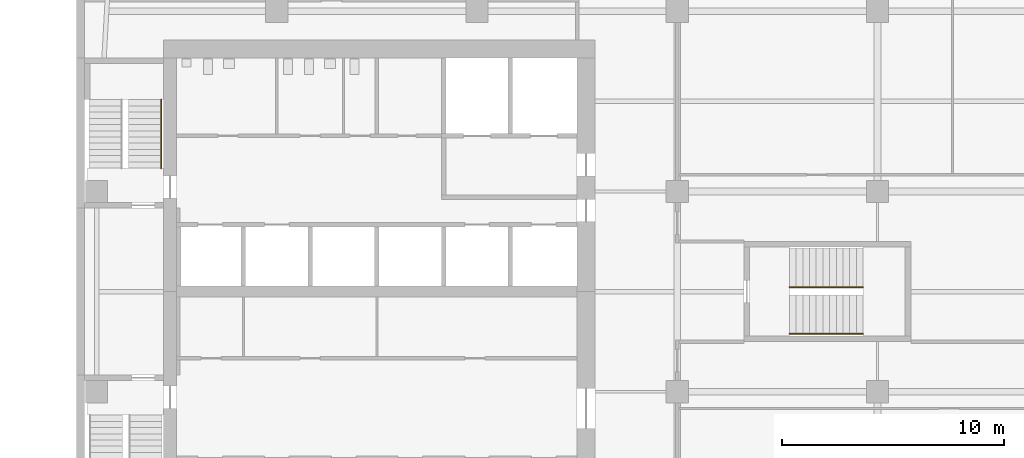
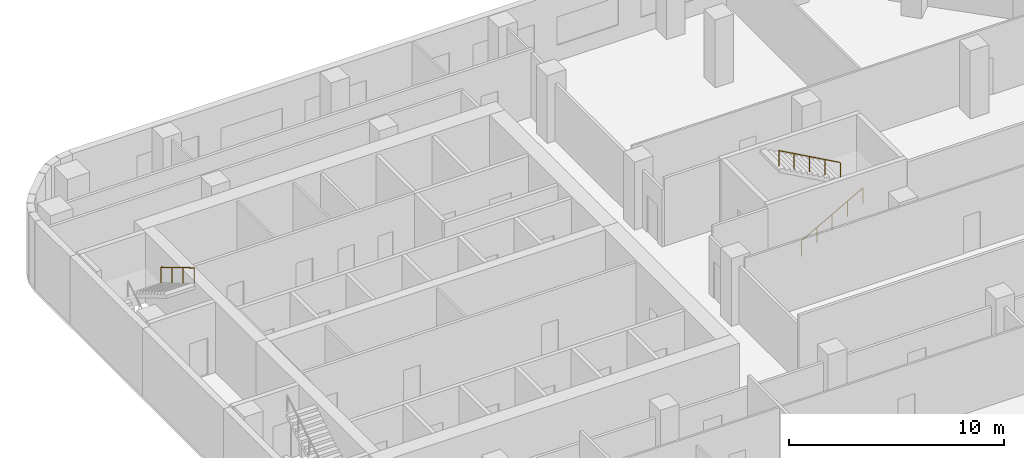
# One storey, part 14 of 15: 3 railings, 2 elements without a shape of their own.
"""IFC4 building model written with IfcOpenShell, lengths in metres."""

from ifc_helpers import new_model, si_unit, direction, frame, origin, origin_2d, place, context, subcontext, project, spatial, circle, extrude, material, type_object, element, aggregate, save


model = new_model("IFC4")

# Units and contexts
model_context = context("Model", 3, precision=1e-05, world=origin(), true_north=direction((0.0, 1.0)))
body_context = subcontext(model_context, "Body", "Model", "MODEL_VIEW")
ifc_project = project(units=[si_unit("LENGTHUNIT", "METRE"), si_unit("AREAUNIT", "SQUARE_METRE"), si_unit("VOLUMEUNIT", "CUBIC_METRE"), si_unit("PLANEANGLEUNIT", "RADIAN"), si_unit("MASSUNIT", "GRAM", prefix="KILO")], contexts=[model_context])

# Site, building, storey
site_placement = place(None, origin())
site = spatial("IfcSite", under=ifc_project, at=site_placement, CompositionType="ELEMENT")
building_placement = place(site_placement, origin())
building = spatial("IfcBuilding", under=site, at=building_placement, Name="Cinnabar Reach Civic Tower", CompositionType="ELEMENT")
storey_placement = place(building_placement, frame((0.0, 0.0, 120.0)))
storey = spatial("IfcBuildingStorey", under=building, at=storey_placement, Name="L28", CompositionType="ELEMENT", Elevation=120.0)

# Stair, railing
ifc_material_1 = material(Name="Concrete C40/50", Category="concrete")
stair_type = type_object("IfcStairType", Name="T1 Exit stair, half-turn", PredefinedType="HALF_TURN_STAIR", material=ifc_material_1)
stair_1_placement = place(storey_placement, origin())
stair_1 = element("IfcStair", 1, at=stair_1_placement, inside=storey, type_object=stair_type, Name="Stair T1-S2", PredefinedType="HALF_TURN_STAIR")
ifc_material_2 = material(Name="Stainless steel tube", Category="steel")
railing_type = type_object("IfcRailingType", Name="T1 Stair handrail, stainless tube 48", PredefinedType="HANDRAIL", material=ifc_material_2)
railing_1_placement = place(storey_placement, frame((3.8, 40.13, 2.1667)))
railing_1 = element("IfcRailing", 2, at=railing_1_placement, type_object=railing_type, Name="T1-S2 handrail 2", PredefinedType="HANDRAIL", context=body_context, shape_type="SweptSolid", body=[
    extrude(circle(Radius=0.024, at=origin_2d()), frame((0.0, 0.0, 0.876), z_axis=(0.0, -0.859296971757, 0.511476992962), x_axis=(1.0, 0.0, 0.0)), (0.0, 0.0, 1.0), 3.5843),
    extrude(circle(Radius=0.021, at=origin_2d()), origin(), (0.0, 0.0, 1.0), 0.852),
    extrude(circle(Radius=0.021, at=origin_2d()), frame((0.0, -1.0267, 0.6111)), (0.0, 0.0, 1.0), 0.852),
    extrude(circle(Radius=0.021, at=origin_2d()), frame((0.0, -2.0533, 1.2222)), (0.0, 0.0, 1.0), 0.852),
    extrude(circle(Radius=0.021, at=origin_2d()), frame((0.0, -3.08, 1.8333)), (0.0, 0.0, 1.0), 0.852),
])
aggregate(stair_1, [railing_1])

# Stair, railings
stair_2_placement = place(storey_placement, origin())
stair_2 = element("IfcStair", 3, at=stair_2_placement, inside=storey, type_object=stair_type, Name="Stair T1-S3", PredefinedType="HALF_TURN_STAIR")
railing_2_placement = place(storey_placement, frame((32.05, 29.6, 0.1667)))
railing_2 = element("IfcRailing", 4, at=railing_2_placement, type_object=railing_type, Name="T1-S3 handrail 1", PredefinedType="HANDRAIL", context=body_context, shape_type="SweptSolid", body=[
    extrude(circle(Radius=0.024, at=origin_2d()), frame((0.0, 0.0, 0.876), z_axis=(0.874161024642, 0.0, 0.485636183781), x_axis=(0.0, 1.0, 0.0)), (0.0, 0.0, 1.0), 3.775),
    extrude(circle(Radius=0.021, at=origin_2d()), origin(), (0.0, 0.0, 1.0), 0.852),
    extrude(circle(Radius=0.021, at=origin_2d()), frame((0.825, 0.0, 0.4583)), (0.0, 0.0, 1.0), 0.852),
    extrude(circle(Radius=0.021, at=origin_2d()), frame((1.65, 0.0, 0.9166)), (0.0, 0.0, 1.0), 0.852),
    extrude(circle(Radius=0.021, at=origin_2d()), frame((2.475, 0.0, 1.375)), (0.0, 0.0, 1.0), 0.852),
    extrude(circle(Radius=0.021, at=origin_2d()), frame((3.3, 0.0, 1.8333)), (0.0, 0.0, 1.0), 0.852),
])
railing_3_placement = place(storey_placement, frame((35.35, 31.7, 2.1667)))
railing_3 = element("IfcRailing", 5, at=railing_3_placement, type_object=railing_type, Name="T1-S3 handrail 2", PredefinedType="HANDRAIL", context=body_context, shape_type="SweptSolid", body=[
    extrude(circle(Radius=0.024, at=origin_2d()), frame((0.0, 0.0, 0.876), z_axis=(-0.874161024642, 0.0, 0.485636183781), x_axis=(0.0, -1.0, 0.0)), (0.0, 0.0, 1.0), 3.775),
    extrude(circle(Radius=0.021, at=origin_2d()), origin(), (0.0, 0.0, 1.0), 0.852),
    extrude(circle(Radius=0.021, at=origin_2d()), frame((-0.825, 0.0, 0.4583)), (0.0, 0.0, 1.0), 0.852),
    extrude(circle(Radius=0.021, at=origin_2d()), frame((-1.65, 0.0, 0.9166)), (0.0, 0.0, 1.0), 0.852),
    extrude(circle(Radius=0.021, at=origin_2d()), frame((-2.475, 0.0, 1.375)), (0.0, 0.0, 1.0), 0.852),
    extrude(circle(Radius=0.021, at=origin_2d()), frame((-3.3, 0.0, 1.8333)), (0.0, 0.0, 1.0), 0.852),
])
aggregate(stair_2, [railing_2, railing_3])

save(model, "model.ifc")
